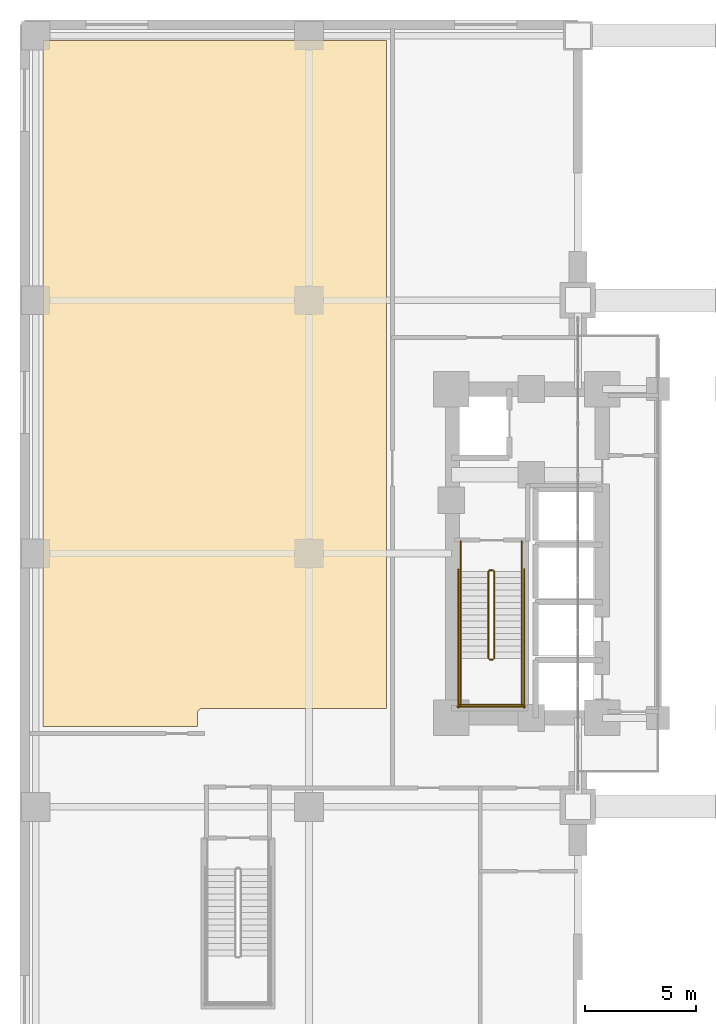
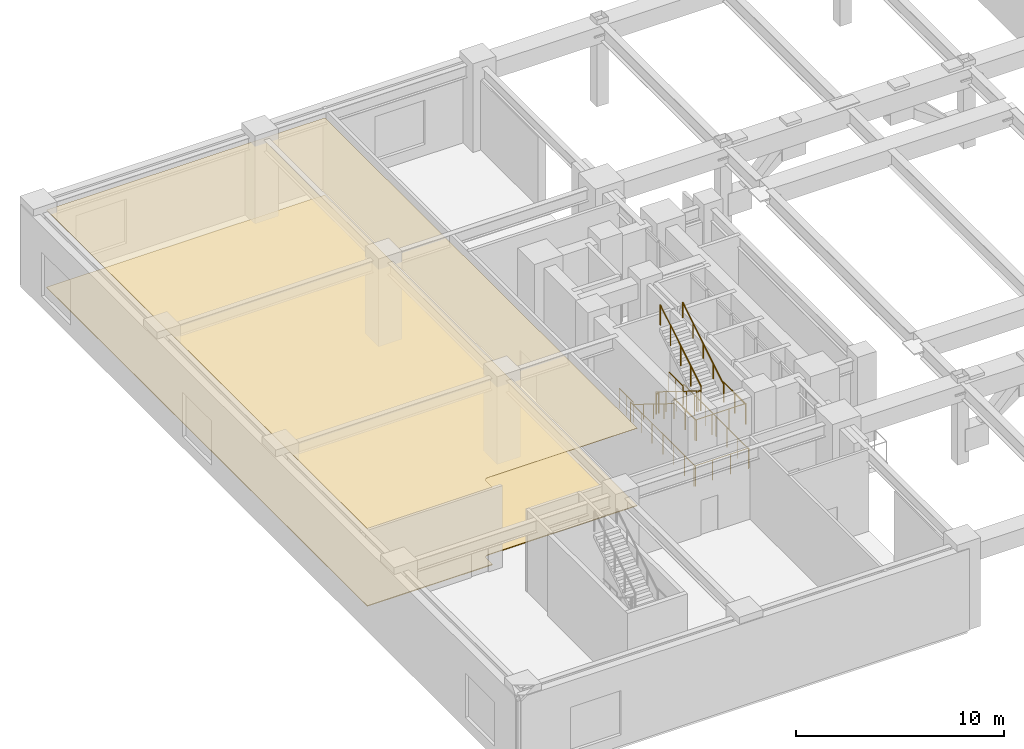
# One storey, part 23 of 26: 14 railings, 2 coverings.
"""IFC4 building model written with IfcOpenShell, lengths in metres."""

from ifc_helpers import new_model, si_unit, direction, frame, origin, origin_2d, place, context, subcontext, project, spatial, polyline, circle, outline, extrude, material, layer, layer_set, type_object, element, save


model = new_model("IFC4")

# Units and contexts
model_context = context("Model", 3, precision=1e-05, world=origin(), true_north=direction((0.0, 1.0)))
body_context = subcontext(model_context, "Body", "Model", "MODEL_VIEW")
ifc_project = project(units=[si_unit("LENGTHUNIT", "METRE"), si_unit("AREAUNIT", "SQUARE_METRE"), si_unit("VOLUMEUNIT", "CUBIC_METRE"), si_unit("PLANEANGLEUNIT", "RADIAN"), si_unit("MASSUNIT", "GRAM", prefix="KILO")], contexts=[model_context])

# Site, building, storey
site_placement = place(None, origin())
site = spatial("IfcSite", under=ifc_project, at=site_placement, CompositionType="ELEMENT")
building_placement = place(site_placement, origin())
building = spatial("IfcBuilding", under=site, at=building_placement, Name="Voryun Gate Residences", CompositionType="ELEMENT")
storey_placement = place(building_placement, frame((0.0, 0.0, 15.60009765625)))
storey = spatial("IfcBuildingStorey", under=building, at=storey_placement, Name="L03", CompositionType="ELEMENT", Elevation=15.60009765625)

# Coverings
ifc_material_1 = material(Name="Gypsum acoustic ceiling")
ifc_layer_1 = layer(ifc_material_1, 0.02490234375, Name="COV_CEILING_ACOUSTIC")
ifc_layer_set_1 = layer_set([ifc_layer_1], Name="Gypsum acoustic ceiling")
covering_type_1 = type_object("IfcCoveringType", Name="COV_CEILING_ACOUSTIC", PredefinedType="CEILING", material=ifc_layer_set_1)
covering_1_placement = place(storey_placement, frame((0.0, 0.0, 4.5498046875)))
element("IfcCovering", 1, at=covering_1_placement, inside=storey, type_object=covering_type_1, Name="Acoustic ceiling CLG-L03-01", PredefinedType="CEILING", context=body_context, shape_type="SweptSolid", body=[
    extrude(outline(polyline([(-22.1201171875, 23.080078125), (-22.1201171875, -6.97509765625), (-30.405517578125, -6.97509765625), (-30.422119140625, -6.975830078125), (-30.44384765625, -6.97900390625), (-30.46533203125, -6.984375), (-30.486083984375, -6.991943359375), (-30.506103515625, -7.001220703125), (-30.525146484375, -7.0126953125), (-30.54296875, -7.02587890625), (-30.559326171875, -7.040771484375), (-30.57421875, -7.05712890625), (-30.58740234375, -7.07470703125), (-30.5986328125, -7.09375), (-30.608154296875, -7.11376953125), (-30.615478515625, -7.134521484375), (-30.620849609375, -7.156005859375), (-30.624267578125, -7.177978515625), (-30.625, -7.194580078125), (-30.625, -7.780029296875), (-37.580078125, -7.780029296875), (-37.580078125, 23.080078125), (-22.1201171875, 23.080078125)])), origin(), (0.0, 0.0, 1.0), 0.025146484375),
])
ifc_material_2 = material(Name="Architectural oak flooring")
ifc_layer_2 = layer(ifc_material_2, 0.044921875, Name="COV_FLOOR_ONDOL_OAK")
ifc_layer_set_2 = layer_set([ifc_layer_2], Name="Architectural oak flooring")
covering_type_2 = type_object("IfcCoveringType", Name="COV_FLOOR_ONDOL_OAK", PredefinedType="FLOORING", material=ifc_layer_set_2)
covering_2_placement = place(storey_placement, origin())
element("IfcCovering", 2, at=covering_2_placement, inside=storey, type_object=covering_type_2, Name="Ondol oak floor FLR-L03-01", PredefinedType="FLOORING", context=body_context, shape_type="SweptSolid", body=[
    extrude(outline(polyline([(-22.1201171875, 23.080078125), (-22.1201171875, -6.97509765625), (-30.405517578125, -6.97509765625), (-30.422119140625, -6.975830078125), (-30.44384765625, -6.97900390625), (-30.46533203125, -6.984375), (-30.486083984375, -6.991943359375), (-30.506103515625, -7.001220703125), (-30.525146484375, -7.0126953125), (-30.54296875, -7.02587890625), (-30.559326171875, -7.040771484375), (-30.57421875, -7.05712890625), (-30.58740234375, -7.07470703125), (-30.5986328125, -7.09375), (-30.608154296875, -7.11376953125), (-30.615478515625, -7.134521484375), (-30.620849609375, -7.156005859375), (-30.624267578125, -7.177978515625), (-30.625, -7.194580078125), (-30.625, -7.780029296875), (-37.580078125, -7.780029296875), (-37.580078125, 23.080078125), (-22.1201171875, 23.080078125)])), origin(), (0.0, 0.0, 1.0), 0.044921875),
])

# Railings
ifc_material_3 = material(Name="Painted steel", Category="steel")
railing_type_1 = type_object("IfcRailingType", Name="RAIL_STAIR_GUARD_1200", PredefinedType="GUARDRAIL", material=ifc_material_3)
railing_1_placement = place(storey_placement, frame((-17.52490234375, -0.800048828125, 0.17333984375)))
element("IfcRailing", 3, at=railing_1_placement, inside=storey, type_object=railing_type_1, Name="L03 ST-W1 stair guard 1", PredefinedType="GUARDRAIL", context=body_context, shape_type="SweptSolid", body=[
    extrude(circle(Radius=0.02392578125, at=origin_2d()), frame((0.0, 0.0, 1.17578125), z_axis=(0.0, -0.850275303828, 0.526338206574), x_axis=(1.0, 0.0, 0.0)), (0.0, 0.0, 1.0), 4.610107421875),
    extrude(circle(Radius=0.02099609375, at=origin_2d()), origin(), (0.0, 0.0, 1.0), 1.15185546875),
    extrude(circle(Radius=0.02099609375, at=origin_2d()), frame((0.0, -0.97998046875, 0.606689453125)), (0.0, 0.0, 1.0), 1.15185546875),
    extrude(circle(Radius=0.02099609375, at=origin_2d()), frame((0.0, -1.9599609375, 1.21337890625)), (0.0, 0.0, 1.0), 1.15185546875),
    extrude(circle(Radius=0.02099609375, at=origin_2d()), frame((0.0, -2.93994140625, 1.81982421875)), (0.0, 0.0, 1.0), 1.15185546875),
    extrude(circle(Radius=0.02099609375, at=origin_2d()), frame((0.0, -3.919921875, 2.426513671875)), (0.0, 0.0, 1.0), 1.15185546875),
])
railing_2_placement = place(storey_placement, frame((-17.47509765625, -4.77001953125, 2.599853515625)))
element("IfcRailing", 4, at=railing_2_placement, inside=storey, type_object=railing_type_1, Name="L03 ST-W1 stair guard 2", PredefinedType="GUARDRAIL", context=body_context, shape_type="SweptSolid", body=[
    extrude(circle(Radius=0.02392578125, at=origin_2d()), frame((0.0, 0.0, 1.17578125), z_axis=(1.0, 0.0, 0.0), x_axis=(0.0, 1.0, 0.0)), (0.0, 0.0, 1.0), 0.150146484375),
    extrude(circle(Radius=0.02099609375, at=origin_2d()), origin(), (0.0, 0.0, 1.0), 1.15185546875),
    extrude(circle(Radius=0.02099609375, at=origin_2d()), frame((0.150146484375, 0.0, 0.0)), (0.0, 0.0, 1.0), 1.15185546875),
])
for number, where, name in (
    (5, (-18.77490234375, -4.719970703125, 2.599853515625), "L03 ST-W1 stair guard 3"),
    (6, (-16.02490234375, -4.719970703125, 2.599853515625), "L03 ST-W1 stair guard 4"),
):
    element("IfcRailing", number, at=place(storey_placement, frame(where)), inside=storey, type_object=railing_type_1, Name=name, PredefinedType="GUARDRAIL", context=body_context, shape_type="SweptSolid", body=[
        extrude(circle(Radius=0.02392578125, at=origin_2d()), frame((0.0, 0.0, 1.17578125), z_axis=(0.0, -1.0, 0.0), x_axis=(1.0, 0.0, 0.0)), (0.0, 0.0, 1.0), 2.130126953125),
        extrude(circle(Radius=0.02099609375, at=origin_2d()), origin(), (0.0, 0.0, 1.0), 1.15185546875),
        extrude(circle(Radius=0.02099609375, at=origin_2d()), frame((0.0, -1.06494140625, 0.0)), (0.0, 0.0, 1.0), 1.15185546875),
        extrude(circle(Radius=0.02099609375, at=origin_2d()), frame((0.0, -2.130126953125, 0.0)), (0.0, 0.0, 1.0), 1.15185546875),
    ])
railing_3_placement = place(storey_placement, frame((-18.824951171875, -6.800048828125, 2.599853515625)))
element("IfcRailing", 7, at=railing_3_placement, inside=storey, type_object=railing_type_1, Name="L03 ST-W1 stair guard 5", PredefinedType="GUARDRAIL", context=body_context, shape_type="SweptSolid", body=[
    extrude(circle(Radius=0.02392578125, at=origin_2d()), frame((0.0, 0.0, 1.17578125), z_axis=(1.0, 0.0, 0.0), x_axis=(0.0, 1.0, 0.0)), (0.0, 0.0, 1.0), 2.849853515625),
    extrude(circle(Radius=0.02099609375, at=origin_2d()), origin(), (0.0, 0.0, 1.0), 1.15185546875),
    extrude(circle(Radius=0.02099609375, at=origin_2d()), frame((0.949951171875, 0.0, 0.0)), (0.0, 0.0, 1.0), 1.15185546875),
    extrude(circle(Radius=0.02099609375, at=origin_2d()), frame((1.89990234375, 0.0, 0.0)), (0.0, 0.0, 1.0), 1.15185546875),
    extrude(circle(Radius=0.02099609375, at=origin_2d()), frame((2.849853515625, 0.0, 0.0)), (0.0, 0.0, 1.0), 1.15185546875),
])
railing_4_placement = place(storey_placement, frame((-17.27490234375, -4.719970703125, 2.773193359375)))
element("IfcRailing", 8, at=railing_4_placement, inside=storey, type_object=railing_type_1, Name="L03 ST-W1 stair guard 6", PredefinedType="GUARDRAIL", context=body_context, shape_type="SweptSolid", body=[
    extrude(circle(Radius=0.02392578125, at=origin_2d()), frame((0.0, 0.0, 1.17578125), z_axis=(0.0, 0.850251603719, 0.526376491091), x_axis=(-1.0, 0.0, 0.0)), (0.0, 0.0, 1.0), 4.6103515625),
    extrude(circle(Radius=0.02099609375, at=origin_2d()), origin(), (0.0, 0.0, 1.0), 1.15185546875),
    extrude(circle(Radius=0.02099609375, at=origin_2d()), frame((0.0, 0.97998046875, 0.606689453125)), (0.0, 0.0, 1.0), 1.15185546875),
    extrude(circle(Radius=0.02099609375, at=origin_2d()), frame((0.0, 1.9599609375, 1.21337890625)), (0.0, 0.0, 1.0), 1.15185546875),
    extrude(circle(Radius=0.02099609375, at=origin_2d()), frame((0.0, 2.93994140625, 1.820068359375)), (0.0, 0.0, 1.0), 1.15185546875),
    extrude(circle(Radius=0.02099609375, at=origin_2d()), frame((0.0, 3.919921875, 2.4267578125)), (0.0, 0.0, 1.0), 1.15185546875),
])
railing_5_placement = place(storey_placement, frame((-17.47509765625, -0.75, 0.0)))
element("IfcRailing", 9, at=railing_5_placement, inside=storey, type_object=railing_type_1, Name="L03 ST-W1 stair guard 7", PredefinedType="GUARDRAIL", context=body_context, shape_type="SweptSolid", body=[
    extrude(circle(Radius=0.02392578125, at=origin_2d()), frame((0.0, 0.0, 1.17578125), z_axis=(1.0, 0.0, 0.0), x_axis=(0.0, 1.0, 0.0)), (0.0, 0.0, 1.0), 0.150146484375),
    extrude(circle(Radius=0.02099609375, at=origin_2d()), origin(), (0.0, 0.0, 1.0), 1.15185546875),
    extrude(circle(Radius=0.02099609375, at=origin_2d()), frame((0.150146484375, 0.0, 0.0)), (0.0, 0.0, 1.0), 1.15185546875),
])
for number, where, name in (
    (10, (-18.77490234375, 0.550048828125, 0.0), "L03 ST-W1 stair guard 8"),
    (11, (-16.02490234375, 0.550048828125, 0.0), "L03 ST-W1 stair guard 9"),
):
    element("IfcRailing", number, at=place(storey_placement, frame(where)), inside=storey, type_object=railing_type_1, Name=name, PredefinedType="GUARDRAIL", context=body_context, shape_type="SweptSolid", body=[
        extrude(circle(Radius=0.02392578125, at=origin_2d()), frame((0.0, 0.0, 1.17578125), z_axis=(0.0, -1.0, 0.0), x_axis=(1.0, 0.0, 0.0)), (0.0, 0.0, 1.0), 1.35009765625),
        extrude(circle(Radius=0.02099609375, at=origin_2d()), origin(), (0.0, 0.0, 1.0), 1.15185546875),
        extrude(circle(Radius=0.02099609375, at=origin_2d()), frame((0.0, -0.675048828125, 0.0)), (0.0, 0.0, 1.0), 1.15185546875),
        extrude(circle(Radius=0.02099609375, at=origin_2d()), frame((0.0, -1.35009765625, 0.0)), (0.0, 0.0, 1.0), 1.15185546875),
    ])
for number, where, name in (
    (12, (-18.875, -0.699951171875, 0.0), "L03 ST-W1 stair guard 10"),
    (13, (-15.925048828125, -0.699951171875, 0.0), "L03 ST-W1 stair guard 11"),
):
    element("IfcRailing", number, at=place(storey_placement, frame(where)), inside=storey, type_object=railing_type_1, Name=name, PredefinedType="GUARDRAIL", context=body_context, shape_type="SweptSolid", body=[
        extrude(circle(Radius=0.02392578125, at=origin_2d()), frame((0.0, 0.0, 1.17578125), z_axis=(0.0, -1.0, 0.0), x_axis=(1.0, 0.0, 0.0)), (0.0, 0.0, 1.0), 6.25),
        extrude(circle(Radius=0.02099609375, at=origin_2d()), origin(), (0.0, 0.0, 1.0), 1.15185546875),
        extrude(circle(Radius=0.02099609375, at=origin_2d()), frame((0.0, -1.041748046875, 0.0)), (0.0, 0.0, 1.0), 1.15185546875),
        extrude(circle(Radius=0.02099609375, at=origin_2d()), frame((0.0, -2.083251953125, 0.0)), (0.0, 0.0, 1.0), 1.15185546875),
        extrude(circle(Radius=0.02099609375, at=origin_2d()), frame((0.0, -3.125, 0.0)), (0.0, 0.0, 1.0), 1.15185546875),
        extrude(circle(Radius=0.02099609375, at=origin_2d()), frame((0.0, -4.166748046875, 0.0)), (0.0, 0.0, 1.0), 1.15185546875),
        extrude(circle(Radius=0.02099609375, at=origin_2d()), frame((0.0, -5.208251953125, 0.0)), (0.0, 0.0, 1.0), 1.15185546875),
        extrude(circle(Radius=0.02099609375, at=origin_2d()), frame((0.0, -6.25, 0.0)), (0.0, 0.0, 1.0), 1.15185546875),
    ])
railing_6_placement = place(storey_placement, frame((-18.925048828125, -6.89990234375, 0.0)))
element("IfcRailing", 14, at=railing_6_placement, inside=storey, type_object=railing_type_1, Name="L03 ST-W1 stair guard 12", PredefinedType="GUARDRAIL", context=body_context, shape_type="SweptSolid", body=[
    extrude(circle(Radius=0.02392578125, at=origin_2d()), frame((0.0, 0.0, 1.17578125), z_axis=(1.0, 0.0, 0.0), x_axis=(0.0, 1.0, 0.0)), (0.0, 0.0, 1.0), 3.050048828125),
    extrude(circle(Radius=0.02099609375, at=origin_2d()), origin(), (0.0, 0.0, 1.0), 1.15185546875),
    extrude(circle(Radius=0.02099609375, at=origin_2d()), frame((1.0166015625, 0.0, 0.0)), (0.0, 0.0, 1.0), 1.15185546875),
    extrude(circle(Radius=0.02099609375, at=origin_2d()), frame((2.033447265625, 0.0, 0.0)), (0.0, 0.0, 1.0), 1.15185546875),
    extrude(circle(Radius=0.02099609375, at=origin_2d()), frame((3.050048828125, 0.0, 0.0)), (0.0, 0.0, 1.0), 1.15185546875),
])
ifc_material_4 = material(Name="Painted steel", Category="steel")
railing_type_2 = type_object("IfcRailingType", Name="RAIL_STAIR_HANDRAIL_900", PredefinedType="HANDRAIL", material=ifc_material_4)
railing_7_placement = place(storey_placement, frame((-18.77490234375, -0.800048828125, 0.17333984375)))
element("IfcRailing", 15, at=railing_7_placement, inside=storey, type_object=railing_type_2, Name="L03 ST-W1 stair handrail 1", PredefinedType="HANDRAIL", context=body_context, shape_type="SweptSolid", body=[
    extrude(circle(Radius=0.02392578125, at=origin_2d()), frame((0.0, 0.0, 0.8759765625), z_axis=(0.0, -0.850275303828, 0.526338206574), x_axis=(1.0, 0.0, 0.0)), (0.0, 0.0, 1.0), 4.610107421875),
    extrude(circle(Radius=0.02099609375, at=origin_2d()), origin(), (0.0, 0.0, 1.0), 0.851806640625),
    extrude(circle(Radius=0.02099609375, at=origin_2d()), frame((0.0, -0.97998046875, 0.606689453125)), (0.0, 0.0, 1.0), 0.851806640625),
    extrude(circle(Radius=0.02099609375, at=origin_2d()), frame((0.0, -1.9599609375, 1.21337890625)), (0.0, 0.0, 1.0), 0.851806640625),
    extrude(circle(Radius=0.02099609375, at=origin_2d()), frame((0.0, -2.93994140625, 1.81982421875)), (0.0, 0.0, 1.0), 0.851806640625),
    extrude(circle(Radius=0.02099609375, at=origin_2d()), frame((0.0, -3.919921875, 2.426513671875)), (0.0, 0.0, 1.0), 0.851806640625),
])
railing_8_placement = place(storey_placement, frame((-16.02490234375, -4.719970703125, 2.773193359375)))
element("IfcRailing", 16, at=railing_8_placement, inside=storey, type_object=railing_type_2, Name="L03 ST-W1 stair handrail 2", PredefinedType="HANDRAIL", context=body_context, shape_type="SweptSolid", body=[
    extrude(circle(Radius=0.02392578125, at=origin_2d()), frame((0.0, 0.0, 0.8759765625), z_axis=(0.0, 0.850251603719, 0.526376491091), x_axis=(-1.0, 0.0, 0.0)), (0.0, 0.0, 1.0), 4.6103515625),
    extrude(circle(Radius=0.02099609375, at=origin_2d()), origin(), (0.0, 0.0, 1.0), 0.851806640625),
    extrude(circle(Radius=0.02099609375, at=origin_2d()), frame((0.0, 0.97998046875, 0.606689453125)), (0.0, 0.0, 1.0), 0.851806640625),
    extrude(circle(Radius=0.02099609375, at=origin_2d()), frame((0.0, 1.9599609375, 1.21337890625)), (0.0, 0.0, 1.0), 0.851806640625),
    extrude(circle(Radius=0.02099609375, at=origin_2d()), frame((0.0, 2.93994140625, 1.820068359375)), (0.0, 0.0, 1.0), 0.851806640625),
    extrude(circle(Radius=0.02099609375, at=origin_2d()), frame((0.0, 3.919921875, 2.4267578125)), (0.0, 0.0, 1.0), 0.851806640625),
])

save(model, "model.ifc")
